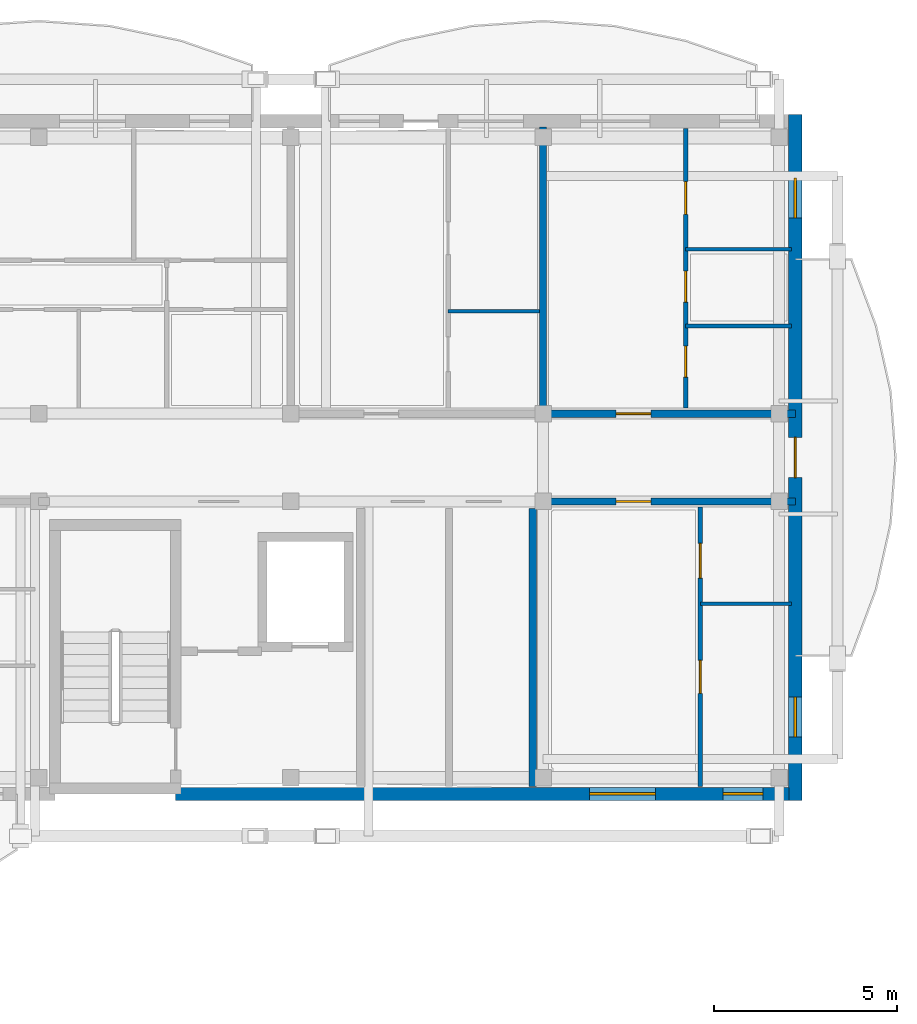
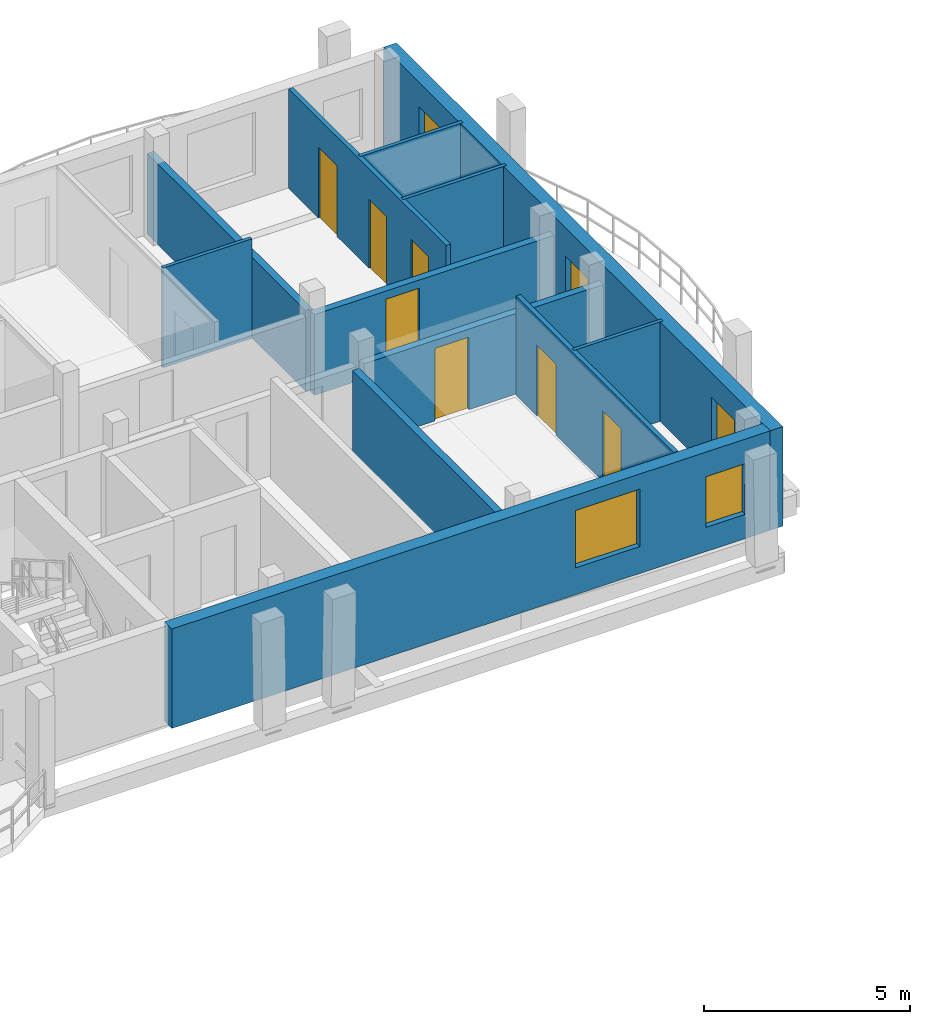
# One storey, part 35 of 48: 12 walls, 8 doors, 4 windows, 12 openings.
"""IFC4 building model written with IfcOpenShell, lengths in metres."""

from ifc_helpers import new_model, si_unit, direction, frame, frame_2d, origin, origin_with_axes, place, context, subcontext, project, spatial, rectangle, extrude, material, layer, layer_set, type_object, element, fill, save


model = new_model("IFC4")

# Units and contexts
model_context = context("Model", 3, precision=1e-05, world=origin(), true_north=direction((0.0, 1.0)))
body_context = subcontext(model_context, "Body", "Model", "MODEL_VIEW")
ifc_project = project(units=[si_unit("LENGTHUNIT", "METRE"), si_unit("AREAUNIT", "SQUARE_METRE"), si_unit("VOLUMEUNIT", "CUBIC_METRE"), si_unit("PLANEANGLEUNIT", "RADIAN"), si_unit("MASSUNIT", "GRAM", prefix="KILO")], contexts=[model_context])

# Site, building, storey
site_placement = place(None, origin())
site = spatial("IfcSite", under=ifc_project, at=site_placement, CompositionType="ELEMENT")
building_placement = place(site_placement, origin())
building = spatial("IfcBuilding", under=site, at=building_placement, Name="Zavelmont Quarter", CompositionType="ELEMENT")
storey_placement = place(building_placement, frame((0.0, 0.0, 17.60009765625)))
storey = spatial("IfcBuildingStorey", under=building, at=storey_placement, Name="L05", CompositionType="ELEMENT", Elevation=17.60009765625)

# Wall, openings, windows
ifc_material_1 = material(Name="Natural Belgian limestone", Category="masonry")
ifc_layer_1 = layer(ifc_material_1, 0.360107421875)
ifc_layer_set_1 = layer_set([ifc_layer_1], Name="Natural Belgian limestone")
wall_type_1 = type_object("IfcWallType", Name="EW02", PredefinedType="STANDARD", material=ifc_layer_set_1)
wall_1_placement = place(storey_placement, frame((151.050048828125, 97.60009765625, 0.0), z_axis=(0.0, 0.0, 1.0), x_axis=(1.0, 0.0, 0.0)))
wall_1 = element("IfcWall", 1, at=wall_1_placement, inside=storey, type_object=wall_type_1, Name="L05 exterior limestone wall EW02", PredefinedType="STANDARD", context=body_context, shape_type="SweptSolid", body=[
    extrude(rectangle(XDim=16.780029296875, YDim=0.360107421875, at=frame_2d((8.39013671875, 0.0))), origin(), (0.0, 0.0, 1.0), 2.949951171875),
])
opening_1_placement = place(wall_1_placement, frame((11.320068359375, 0.0, 0.800048828125)))
opening_1 = element("IfcOpeningElement", 2, at=opening_1_placement, cuts=wall_1, Name="Opening WN02", PredefinedType="OPENING", context=body_context, shape_type="SweptSolid", body=[
    extrude(rectangle(XDim=1.800048828125, YDim=1.699951171875, at=frame_2d((0.89990234375, 0.85009765625))), frame((0.0, 0.19189453125, 0.0), z_axis=(0.0, -1.0, 0.0), x_axis=(1.0, 0.0, 0.0)), (0.0, 0.0, 1.0), 0.384033203125),
])
opening_2_placement = place(wall_1_placement, frame((14.969970703125, 0.0, 0.719970703125)))
opening_2 = element("IfcOpeningElement", 3, at=opening_2_placement, cuts=wall_1, Name="Opening WN09", PredefinedType="OPENING", context=body_context, shape_type="SweptSolid", body=[
    extrude(rectangle(XDim=1.10009765625, YDim=1.5, at=frame_2d((0.550048828125, 0.75))), frame((0.0, 0.19189453125, 0.0), z_axis=(0.0, -1.0, 0.0), x_axis=(1.0, 0.0, 0.0)), (0.0, 0.0, 1.0), 0.384033203125),
])
ifc_material_2 = material(Name="Double low-E insulated glazing in thermally broken aluminium frame", Category="aluminium")
window_type_1 = type_object("IfcWindowType", Name="WN02", PartitioningType="SINGLE_PANEL", PredefinedType="WINDOW", material=ifc_material_2)
window_1_placement = place(opening_1_placement, origin_with_axes())
window_1 = element("IfcWindow", 4, at=window_1_placement, inside=storey, type_object=window_type_1, Name="L05 window WN02", OverallHeight=1.699951171875, OverallWidth=1.800048828125, PartitioningType="SINGLE_PANEL", PredefinedType="WINDOW", context=body_context, shape_type="SweptSolid", body=[
    extrude(rectangle(XDim=1.800048828125, YDim=1.699951171875, at=frame_2d((0.89990234375, 0.85009765625))), frame((0.0, 0.030029296875, 0.0), z_axis=(0.0, -1.0, 0.0), x_axis=(1.0, 0.0, 0.0)), (0.0, 0.0, 1.0), 0.06005859375),
])
fill(opening_1, window_1)
window_type_2 = type_object("IfcWindowType", Name="WN09", PartitioningType="SINGLE_PANEL", PredefinedType="WINDOW", material=ifc_material_2)
window_2_placement = place(opening_2_placement, origin_with_axes())
window_2 = element("IfcWindow", 5, at=window_2_placement, inside=storey, type_object=window_type_2, Name="L05 window WN09", OverallHeight=1.5, OverallWidth=1.10009765625, PartitioningType="SINGLE_PANEL", PredefinedType="WINDOW", context=body_context, shape_type="SweptSolid", body=[
    extrude(rectangle(XDim=1.10009765625, YDim=1.5, at=frame_2d((0.550048828125, 0.75))), frame((0.0, 0.030029296875, 0.0), z_axis=(0.0, -1.0, 0.0), x_axis=(1.0, 0.0, 0.0)), (0.0, 0.0, 1.0), 0.06005859375),
])
fill(opening_2, window_2)

# Wall, openings, door, windows
wall_2_placement = place(storey_placement, frame((168.0, 97.419921875, 0.0), z_axis=(0.0, 0.0, 1.0), x_axis=(0.0, 1.0, 0.0)))
wall_2 = element("IfcWall", 6, at=wall_2_placement, inside=storey, type_object=wall_type_1, Name="L05 exterior limestone wall EW02", PredefinedType="STANDARD", context=body_context, shape_type="SweptSolid", body=[
    extrude(rectangle(XDim=18.760009765625, YDim=0.360107421875, at=frame_2d((9.3798828125, 0.0))), origin(), (0.0, 0.0, 1.0), 2.949951171875),
])
opening_3_placement = place(wall_2_placement, frame((8.830078125, 0.0, 0.0)))
opening_3 = element("IfcOpeningElement", 7, at=opening_3_placement, cuts=wall_2, Name="Opening DR04B", PredefinedType="OPENING", context=body_context, shape_type="SweptSolid", body=[
    extrude(rectangle(XDim=1.10009765625, YDim=2.10009765625, at=frame_2d((0.550048828125, 1.050048828125))), frame((0.0, 0.19189453125, 0.0), z_axis=(0.0, -1.0, 0.0), x_axis=(1.0, 0.0, 0.0)), (0.0, 0.0, 1.0), 0.384033203125),
])
opening_4_placement = place(wall_2_placement, frame((1.72998046875, 0.0, 0.719970703125)))
opening_4 = element("IfcOpeningElement", 8, at=opening_4_placement, cuts=wall_2, Name="Opening WN09", PredefinedType="OPENING", context=body_context, shape_type="SweptSolid", body=[
    extrude(rectangle(XDim=1.10009765625, YDim=1.5, at=frame_2d((0.550048828125, 0.75))), frame((0.0, 0.19189453125, 0.0), z_axis=(0.0, -1.0, 0.0), x_axis=(1.0, 0.0, 0.0)), (0.0, 0.0, 1.0), 0.384033203125),
])
opening_5_placement = place(wall_2_placement, frame((15.929931640625, 0.0, 0.719970703125)))
opening_5 = element("IfcOpeningElement", 9, at=opening_5_placement, cuts=wall_2, Name="Opening WN09", PredefinedType="OPENING", context=body_context, shape_type="SweptSolid", body=[
    extrude(rectangle(XDim=1.10009765625, YDim=1.5, at=frame_2d((0.550048828125, 0.75))), frame((0.0, 0.19189453125, 0.0), z_axis=(0.0, -1.0, 0.0), x_axis=(1.0, 0.0, 0.0)), (0.0, 0.0, 1.0), 0.384033203125),
])
ifc_material_3 = material(Name="Thermally broken aluminium and double safety glass", Category="aluminium")
door_type_1 = type_object("IfcDoorType", Name="DR04B", OperationType="NOTDEFINED", PredefinedType="DOOR", material=ifc_material_3)
door_1_placement = place(opening_3_placement, origin_with_axes())
door_1 = element("IfcDoor", 10, at=door_1_placement, inside=storey, type_object=door_type_1, Name="Block C L05 terrace or vase balcony door", OperationType="SINGLE_SWING_LEFT", OverallHeight=2.10009765625, OverallWidth=1.10009765625, PredefinedType="DOOR", context=body_context, shape_type="SweptSolid", body=[
    extrude(rectangle(XDim=1.10009765625, YDim=2.10009765625, at=frame_2d((0.550048828125, 1.050048828125))), frame((0.0, 0.02490234375, 0.0), z_axis=(0.0, -1.0, 0.0), x_axis=(1.0, 0.0, 0.0)), (0.0, 0.0, 1.0), 0.050048828125),
])
fill(opening_3, door_1)
window_3_placement = place(opening_4_placement, origin_with_axes())
window_3 = element("IfcWindow", 11, at=window_3_placement, inside=storey, type_object=window_type_2, Name="L05 window WN09", OverallHeight=1.5, OverallWidth=1.10009765625, PartitioningType="SINGLE_PANEL", PredefinedType="WINDOW", context=body_context, shape_type="SweptSolid", body=[
    extrude(rectangle(XDim=1.10009765625, YDim=1.5, at=frame_2d((0.550048828125, 0.75))), frame((0.0, 0.030029296875, 0.0), z_axis=(0.0, -1.0, 0.0), x_axis=(1.0, 0.0, 0.0)), (0.0, 0.0, 1.0), 0.06005859375),
])
fill(opening_4, window_3)
window_4_placement = place(opening_5_placement, origin_with_axes())
window_4 = element("IfcWindow", 12, at=window_4_placement, inside=storey, type_object=window_type_2, Name="L05 window WN09", OverallHeight=1.5, OverallWidth=1.10009765625, PartitioningType="SINGLE_PANEL", PredefinedType="WINDOW", context=body_context, shape_type="SweptSolid", body=[
    extrude(rectangle(XDim=1.10009765625, YDim=1.5, at=frame_2d((0.550048828125, 0.75))), frame((0.0, 0.030029296875, 0.0), z_axis=(0.0, -1.0, 0.0), x_axis=(1.0, 0.0, 0.0)), (0.0, 0.0, 1.0), 0.06005859375),
])
fill(opening_5, window_4)

# Walls
ifc_material_4 = material(Name="Calcium-silicate blockwork and acoustic plaster", Category="masonry")
ifc_layer_2 = layer(ifc_material_4, 0.199951171875)
ifc_layer_set_2 = layer_set([ifc_layer_2], Name="Calcium-silicate blockwork and acoustic plaster")
wall_type_2 = type_object("IfcWallType", Name="IW01", PredefinedType="PARTITIONING", material=ifc_layer_set_2)
wall_3_placement = place(storey_placement, frame((160.820068359375, 97.800048828125, 0.0), z_axis=(0.0, 0.0, 1.0), x_axis=(0.0, 1.0, 0.0)))
element("IfcWall", 13, at=wall_3_placement, inside=storey, type_object=wall_type_2, Name="L05 Core service end wall IW01", PredefinedType="PARTITIONING", context=body_context, shape_type="SweptSolid", body=[
    extrude(rectangle(XDim=7.599853515625, YDim=0.199951171875, at=frame_2d((3.7998046875, 0.0))), origin(), (0.0, 0.0, 1.0), 2.389892578125),
])
wall_4_placement = place(storey_placement, frame((161.10009765625, 108.14990234375, 0.0), z_axis=(0.0, 0.0, 1.0), x_axis=(0.0, 1.0, 0.0)))
element("IfcWall", 14, at=wall_4_placement, inside=storey, type_object=wall_type_2, Name="L05 Inter-dwelling compartment wall IW01", PredefinedType="PARTITIONING", context=body_context, shape_type="SweptSolid", body=[
    extrude(rectangle(XDim=7.7001953125, YDim=0.199951171875, at=frame_2d((3.85009765625, 0.0))), origin(), (0.0, 0.0, 1.0), 2.389892578125),
])

# Wall, opening, door
wall_5_placement = place(storey_placement, frame((161.10009765625, 108.0, 0.0), z_axis=(0.0, 0.0, 1.0), x_axis=(1.0, 0.0, 0.0)))
wall_5 = element("IfcWall", 15, at=wall_5_placement, inside=storey, type_object=wall_type_2, Name="L05 Corridor compartment wall IW01", PredefinedType="PARTITIONING", context=body_context, shape_type="SweptSolid", body=[
    extrude(rectangle(XDim=6.89990234375, YDim=0.199951171875, at=frame_2d((3.449951171875, 0.0))), origin(), (0.0, 0.0, 1.0), 2.389892578125),
])
opening_6_placement = place(wall_5_placement, frame((2.0, 0.0, 0.0)))
opening_6 = element("IfcOpeningElement", 16, at=opening_6_placement, cuts=wall_5, Name="Opening DR02", PredefinedType="OPENING", context=body_context, shape_type="SweptSolid", body=[
    extrude(rectangle(XDim=0.949951171875, YDim=2.14990234375, at=frame_2d((0.47509765625, 1.074951171875))), frame((0.0, 0.11181640625, 0.0), z_axis=(0.0, -1.0, 0.0), x_axis=(1.0, 0.0, 0.0)), (0.0, 0.0, 1.0), 0.223876953125),
])
ifc_material_5 = material(Name="Solid-core oak fire leaf in steel frame", Category="steel")
door_type_2 = type_object("IfcDoorType", Name="DR02", OperationType="NOTDEFINED", PredefinedType="DOOR", material=ifc_material_5)
door_2_placement = place(opening_6_placement, origin_with_axes())
door_2 = element("IfcDoor", 17, at=door_2_placement, inside=storey, type_object=door_type_2, Name="L05 door DR02", OperationType="SINGLE_SWING_LEFT", OverallHeight=2.14990234375, OverallWidth=0.949951171875, PredefinedType="DOOR", context=body_context, shape_type="SweptSolid", body=[
    extrude(rectangle(XDim=0.949951171875, YDim=2.14990234375, at=frame_2d((0.47509765625, 1.074951171875))), frame((0.0, 0.02490234375, 0.0), z_axis=(0.0, -1.0, 0.0), x_axis=(1.0, 0.0, 0.0)), (0.0, 0.0, 1.0), 0.050048828125),
])
fill(opening_6, door_2)

wall_6_placement = place(storey_placement, frame((161.10009765625, 105.60009765625, 0.0), z_axis=(0.0, 0.0, 1.0), x_axis=(1.0, 0.0, 0.0)))
wall_6 = element("IfcWall", 18, at=wall_6_placement, inside=storey, type_object=wall_type_2, Name="L05 Corridor compartment wall IW01", PredefinedType="PARTITIONING", context=body_context, shape_type="SweptSolid", body=[
    extrude(rectangle(XDim=6.89990234375, YDim=0.199951171875, at=frame_2d((3.449951171875, 0.0))), origin(), (0.0, 0.0, 1.0), 2.389892578125),
])
opening_7_placement = place(wall_6_placement, frame((2.0, 0.0, 0.0)))
opening_7 = element("IfcOpeningElement", 19, at=opening_7_placement, cuts=wall_6, Name="Opening DR02", PredefinedType="OPENING", context=body_context, shape_type="SweptSolid", body=[
    extrude(rectangle(XDim=0.949951171875, YDim=2.14990234375, at=frame_2d((0.47509765625, 1.074951171875))), frame((0.0, 0.11181640625, 0.0), z_axis=(0.0, -1.0, 0.0), x_axis=(1.0, 0.0, 0.0)), (0.0, 0.0, 1.0), 0.223876953125),
])
door_3_placement = place(opening_7_placement, frame((0.949951171875, 0.0, 0.0), z_axis=(0.0, 0.0, 1.0), x_axis=(-1.0, 0.0, 0.0)))
door_3 = element("IfcDoor", 20, at=door_3_placement, inside=storey, type_object=door_type_2, Name="L05 door DR02", OperationType="SINGLE_SWING_LEFT", OverallHeight=2.14990234375, OverallWidth=0.949951171875, PredefinedType="DOOR", context=body_context, shape_type="SweptSolid", body=[
    extrude(rectangle(XDim=0.949951171875, YDim=2.14990234375, at=frame_2d((0.47509765625, 1.074951171875))), frame((0.0, 0.02490234375, 0.0), z_axis=(0.0, -1.0, 0.0), x_axis=(1.0, 0.0, 0.0)), (0.0, 0.0, 1.0), 0.050048828125),
])
fill(opening_7, door_3)

# Wall, openings, doors
ifc_material_6 = material(Name="Double gypsum board on acoustic steel stud", Category="steel")
ifc_layer_3 = layer(ifc_material_6, 0.125)
ifc_layer_set_3 = layer_set([ifc_layer_3], Name="Double gypsum board on acoustic steel stud")
wall_type_3 = type_object("IfcWallType", Name="IW03", PredefinedType="PARTITIONING", material=ifc_layer_set_3)
wall_7_placement = place(storey_placement, frame((165.0, 108.14990234375, 0.0), z_axis=(0.0, 0.0, 1.0), x_axis=(0.0, 1.0, 0.0)))
wall_7 = element("IfcWall", 21, at=wall_7_placement, inside=storey, type_object=wall_type_3, Name="L05 Partition IW03", PredefinedType="PARTITIONING", context=body_context, shape_type="SweptSolid", body=[
    extrude(rectangle(XDim=7.650146484375, YDim=0.125, at=frame_2d((3.8251953125, 0.0))), origin(), (0.0, 0.0, 1.0), 2.949951171875),
])
opening_8_placement = place(wall_7_placement, frame((0.85009765625, 0.0, 0.0)))
opening_8 = element("IfcOpeningElement", 22, at=opening_8_placement, cuts=wall_7, Name="Opening DR16", PredefinedType="OPENING", context=body_context, shape_type="SweptSolid", body=[
    extrude(rectangle(XDim=0.85009765625, YDim=2.10009765625, at=frame_2d((0.425048828125, 1.050048828125))), frame((0.0, 0.074462890625, 0.0), z_axis=(0.0, -1.0, 0.0), x_axis=(1.0, 0.0, 0.0)), (0.0, 0.0, 1.0), 0.14892578125),
])
opening_9_placement = place(wall_7_placement, frame((2.89990234375, 0.0, 0.0)))
opening_9 = element("IfcOpeningElement", 23, at=opening_9_placement, cuts=wall_7, Name="Opening DR06", PredefinedType="OPENING", context=body_context, shape_type="SweptSolid", body=[
    extrude(rectangle(XDim=0.85009765625, YDim=2.050048828125, at=frame_2d((0.425048828125, 1.02490234375))), frame((0.0, 0.074462890625, 0.0), z_axis=(0.0, -1.0, 0.0), x_axis=(1.0, 0.0, 0.0)), (0.0, 0.0, 1.0), 0.14892578125),
])
opening_10_placement = place(wall_7_placement, frame((5.300048828125, 0.0, 0.0)))
opening_10 = element("IfcOpeningElement", 24, at=opening_10_placement, cuts=wall_7, Name="Opening DR05", PredefinedType="OPENING", context=body_context, shape_type="SweptSolid", body=[
    extrude(rectangle(XDim=0.89990234375, YDim=2.10009765625, at=frame_2d((0.449951171875, 1.050048828125))), frame((0.0, 0.074462890625, 0.0), z_axis=(0.0, -1.0, 0.0), x_axis=(1.0, 0.0, 0.0)), (0.0, 0.0, 1.0), 0.14892578125),
])
ifc_material_7 = material(Name="Engineered oak flush interior door")
door_type_3 = type_object("IfcDoorType", Name="DR05", OperationType="NOTDEFINED", PredefinedType="DOOR", material=ifc_material_7)
door_4_placement = place(opening_10_placement, origin_with_axes())
door_4 = element("IfcDoor", 25, at=door_4_placement, inside=storey, type_object=door_type_3, Name="L05 door DR05", OperationType="SINGLE_SWING_LEFT", OverallHeight=2.10009765625, OverallWidth=0.89990234375, PredefinedType="DOOR", context=body_context, shape_type="SweptSolid", body=[
    extrude(rectangle(XDim=0.89990234375, YDim=2.10009765625, at=frame_2d((0.449951171875, 1.050048828125))), frame((0.0, 0.02490234375, 0.0), z_axis=(0.0, -1.0, 0.0), x_axis=(1.0, 0.0, 0.0)), (0.0, 0.0, 1.0), 0.050048828125),
])
fill(opening_10, door_4)
ifc_material_8 = material(Name="Moisture-resistant painted wet-room door")
door_type_4 = type_object("IfcDoorType", Name="DR06", OperationType="NOTDEFINED", PredefinedType="DOOR", material=ifc_material_8)
door_5_placement = place(opening_9_placement, frame((0.85009765625, 0.0, 0.0), z_axis=(0.0, 0.0, 1.0), x_axis=(-1.0, 0.0, 0.0)))
door_5 = element("IfcDoor", 26, at=door_5_placement, inside=storey, type_object=door_type_4, Name="L05 door DR06", OperationType="SINGLE_SWING_RIGHT", OverallHeight=2.050048828125, OverallWidth=0.85009765625, PredefinedType="DOOR", context=body_context, shape_type="SweptSolid", body=[
    extrude(rectangle(XDim=0.85009765625, YDim=2.050048828125, at=frame_2d((0.425048828125, 1.02490234375))), frame((0.0, 0.02490234375, 0.0), z_axis=(0.0, -1.0, 0.0), x_axis=(1.0, 0.0, 0.0)), (0.0, 0.0, 1.0), 0.050048828125),
])
fill(opening_9, door_5)
door_type_5 = type_object("IfcDoorType", Name="DR16", OperationType="NOTDEFINED", PredefinedType="DOOR", material=ifc_material_7)
door_6_placement = place(opening_8_placement, origin_with_axes())
door_6 = element("IfcDoor", 27, at=door_6_placement, inside=storey, type_object=door_type_5, Name="L05 door DR16", OperationType="SINGLE_SWING_LEFT", OverallHeight=2.10009765625, OverallWidth=0.85009765625, PredefinedType="DOOR", context=body_context, shape_type="SweptSolid", body=[
    extrude(rectangle(XDim=0.85009765625, YDim=2.10009765625, at=frame_2d((0.425048828125, 1.050048828125))), frame((0.0, 0.02490234375, 0.0), z_axis=(0.0, -1.0, 0.0), x_axis=(1.0, 0.0, 0.0)), (0.0, 0.0, 1.0), 0.050048828125),
])
fill(opening_8, door_6)

wall_8_placement = place(storey_placement, frame((165.39990234375, 105.449951171875, 0.0), z_axis=(0.0, 0.0, 1.0), x_axis=(0.0, -1.0, 0.0)))
wall_8 = element("IfcWall", 28, at=wall_8_placement, inside=storey, type_object=wall_type_3, Name="L05 Partition IW03", PredefinedType="PARTITIONING", context=body_context, shape_type="SweptSolid", body=[
    extrude(rectangle(XDim=7.64990234375, YDim=0.125, at=frame_2d((3.824951171875, 0.0))), origin(), (0.0, 0.0, 1.0), 2.949951171875),
])
opening_11_placement = place(wall_8_placement, frame((1.0, 0.0, 0.0)))
opening_11 = element("IfcOpeningElement", 29, at=opening_11_placement, cuts=wall_8, Name="Opening DR17", PredefinedType="OPENING", context=body_context, shape_type="SweptSolid", body=[
    extrude(rectangle(XDim=0.949951171875, YDim=2.10009765625, at=frame_2d((0.47509765625, 1.050048828125))), frame((0.0, 0.074462890625, 0.0), z_axis=(0.0, -1.0, 0.0), x_axis=(1.0, 0.0, 0.0)), (0.0, 0.0, 1.0), 0.14892578125),
])
opening_12_placement = place(wall_8_placement, frame((4.199951171875, 0.0, 0.0)))
opening_12 = element("IfcOpeningElement", 30, at=opening_12_placement, cuts=wall_8, Name="Opening DR05", PredefinedType="OPENING", context=body_context, shape_type="SweptSolid", body=[
    extrude(rectangle(XDim=0.89990234375, YDim=2.10009765625, at=frame_2d((0.449951171875, 1.050048828125))), frame((0.0, 0.074462890625, 0.0), z_axis=(0.0, -1.0, 0.0), x_axis=(1.0, 0.0, 0.0)), (0.0, 0.0, 1.0), 0.14892578125),
])
door_7_placement = place(opening_12_placement, frame((0.89990234375, 0.0, 0.0), z_axis=(0.0, 0.0, 1.0), x_axis=(-1.0, 0.0, 0.0)))
door_7 = element("IfcDoor", 31, at=door_7_placement, inside=storey, type_object=door_type_3, Name="L05 door DR05", OperationType="SINGLE_SWING_RIGHT", OverallHeight=2.10009765625, OverallWidth=0.89990234375, PredefinedType="DOOR", context=body_context, shape_type="SweptSolid", body=[
    extrude(rectangle(XDim=0.89990234375, YDim=2.10009765625, at=frame_2d((0.449951171875, 1.050048828125))), frame((0.0, 0.02490234375, 0.0), z_axis=(0.0, -1.0, 0.0), x_axis=(1.0, 0.0, 0.0)), (0.0, 0.0, 1.0), 0.050048828125),
])
fill(opening_12, door_7)
ifc_material_9 = material(Name="Accessible washroom flush door")
door_type_6 = type_object("IfcDoorType", Name="DR17", OperationType="NOTDEFINED", PredefinedType="DOOR", material=ifc_material_9)
door_8_placement = place(opening_11_placement, origin_with_axes())
door_8 = element("IfcDoor", 32, at=door_8_placement, inside=storey, type_object=door_type_6, Name="L05 door DR17", OperationType="SINGLE_SWING_LEFT", OverallHeight=2.10009765625, OverallWidth=0.949951171875, PredefinedType="DOOR", context=body_context, shape_type="SweptSolid", body=[
    extrude(rectangle(XDim=0.949951171875, YDim=2.10009765625, at=frame_2d((0.47509765625, 1.050048828125))), frame((0.0, 0.02490234375, 0.0), z_axis=(0.0, -1.0, 0.0), x_axis=(1.0, 0.0, 0.0)), (0.0, 0.0, 1.0), 0.050048828125),
])
fill(opening_11, door_8)

# Walls
ifc_material_10 = material(Name="Moisture-resistant gypsum board on steel stud", Category="steel")
ifc_layer_4 = layer(ifc_material_10, 0.10009765625)
ifc_layer_set_4 = layer_set([ifc_layer_4], Name="Moisture-resistant gypsum board on steel stud")
wall_type_4 = type_object("IfcWallType", Name="IW04", PredefinedType="PARTITIONING", material=ifc_layer_set_4)
wall_9_placement = place(storey_placement, frame((158.5, 110.800048828125, 0.0), z_axis=(0.0, 0.0, 1.0), x_axis=(1.0, 0.0, 0.0)))
element("IfcWall", 33, at=wall_9_placement, inside=storey, type_object=wall_type_4, Name="L05 Partition IW04", PredefinedType="PARTITIONING", context=body_context, shape_type="SweptSolid", body=[
    extrude(rectangle(XDim=2.5, YDim=0.10009765625, at=frame_2d((1.25, 0.0))), origin(), (0.0, 0.0, 1.0), 2.949951171875),
])
for number, where, z_axis, x_axis, name in (
    (34, (165.0, 110.39990234375, 0.0), (0.0, 0.0, 1.0), (1.0, 0.0, 0.0), "L05 Partition IW04"),
    (35, (165.0, 112.5, 0.0), (0.0, 0.0, 1.0), (1.0, 0.0, 0.0), "L05 Partition IW04"),
):
    element("IfcWall", number, at=place(storey_placement, frame(where, z_axis=z_axis, x_axis=x_axis)), inside=storey, type_object=wall_type_4, Name=name, PredefinedType="PARTITIONING", context=body_context, shape_type="SweptSolid", body=[
        extrude(rectangle(XDim=2.89990234375, YDim=0.10009765625, at=frame_2d((1.449951171875, 0.0))), origin(), (0.0, 0.0, 1.0), 2.949951171875),
    ])
wall_10_placement = place(storey_placement, frame((165.39990234375, 102.800048828125, 0.0), z_axis=(0.0, 0.0, 1.0), x_axis=(1.0, 0.0, 0.0)))
element("IfcWall", 36, at=wall_10_placement, inside=storey, type_object=wall_type_4, Name="L05 Partition IW04", PredefinedType="PARTITIONING", context=body_context, shape_type="SweptSolid", body=[
    extrude(rectangle(XDim=2.5, YDim=0.10009765625, at=frame_2d((1.25, 0.0))), origin(), (0.0, 0.0, 1.0), 2.949951171875),
])

save(model, "model.ifc")
